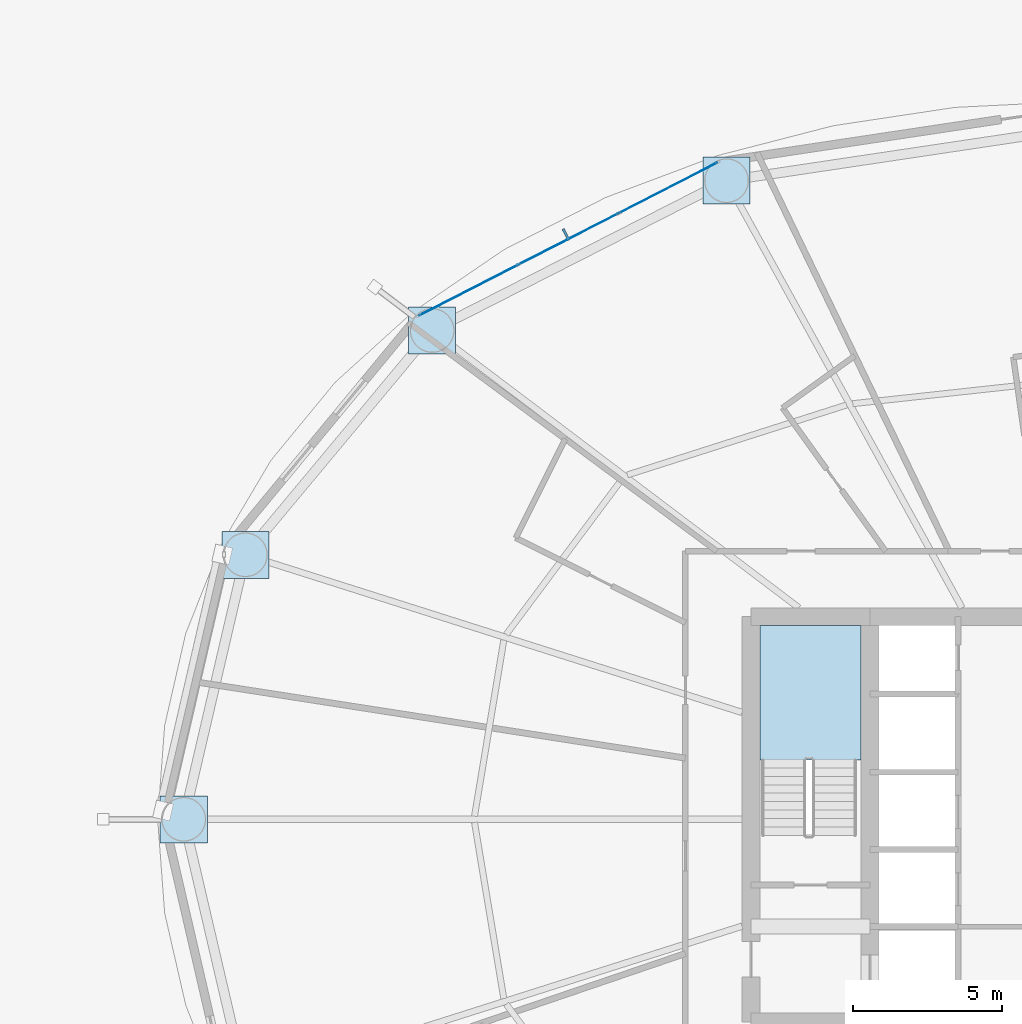
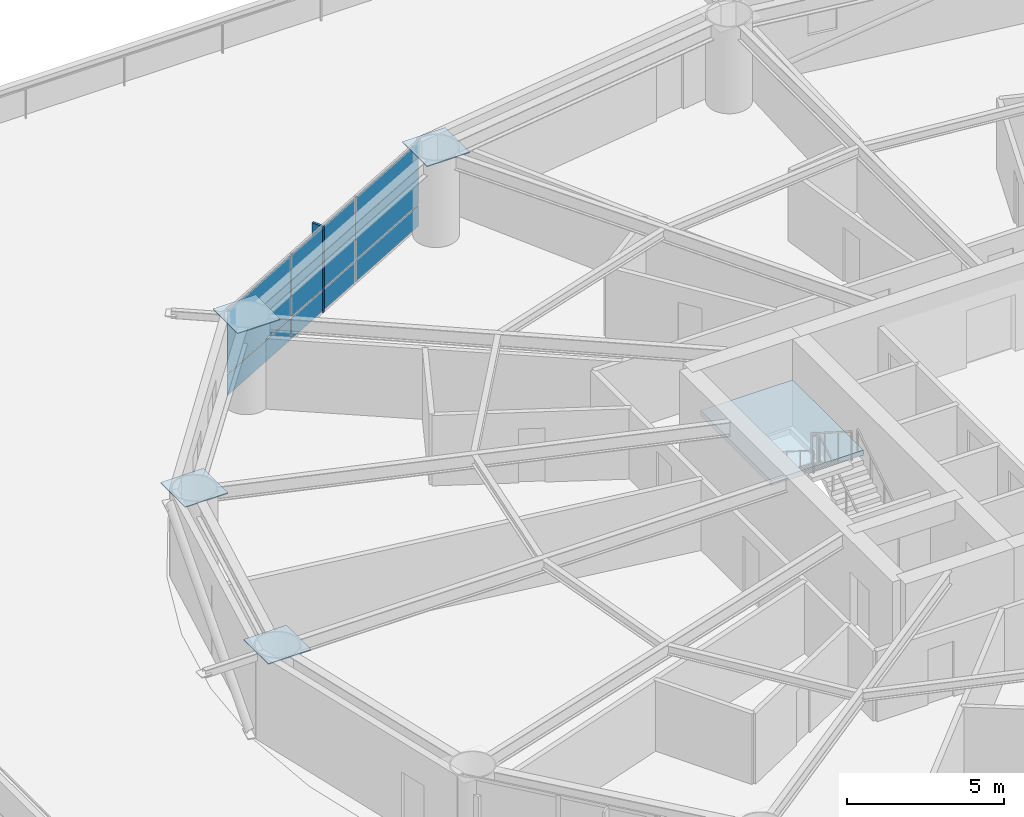
# One storey, part 17 of 30: 11 plates, 1 slab, 2 elements without a shape of their own.
"""IFC4 building model written with IfcOpenShell, lengths in metres."""

from ifc_helpers import new_model, si_unit, direction, frame, origin, origin_2d, place, context, subcontext, project, spatial, polyline, rectangle, outline, extrude, material, layer, layer_set, type_object, element, aggregate, save


model = new_model("IFC4")

# Units and contexts
model_context = context("Model", 3, precision=1e-05, world=origin(), true_north=direction((0.0, 1.0)))
body_context = subcontext(model_context, "Body", "Model", "MODEL_VIEW")
ifc_project = project(units=[si_unit("LENGTHUNIT", "METRE"), si_unit("AREAUNIT", "SQUARE_METRE"), si_unit("VOLUMEUNIT", "CUBIC_METRE"), si_unit("PLANEANGLEUNIT", "RADIAN"), si_unit("MASSUNIT", "GRAM", prefix="KILO")], contexts=[model_context])

# Site, building, storey
site_placement = place(None, origin())
site = spatial("IfcSite", under=ifc_project, at=site_placement, CompositionType="ELEMENT")
building_placement = place(site_placement, origin())
building = spatial("IfcBuilding", under=site, at=building_placement, Name="Sarneth Arch Tower", CompositionType="ELEMENT")
storey_placement = place(building_placement, frame((0.0, 0.0, 28.199951171875)))
storey = spatial("IfcBuildingStorey", under=building, at=storey_placement, Name="L05", CompositionType="ELEMENT", Elevation=28.199951171875)

# Curtain wall, plates
ifc_material_1 = material(Name="Anodised aluminium Type AA25 and solar-control low-e laminated IGU", Category="aluminium")
ifc_layer_1 = layer(ifc_material_1, 0.159912109375)
ifc_layer_set_1 = layer_set([ifc_layer_1], Name="Anodised aluminium Type AA25 and solar-control low-e laminated IGU")
curtain_wall_type = type_object("IfcCurtainWallType", Name="CW-HOTEL-LOW", PredefinedType="NOTDEFINED", material=ifc_layer_set_1)
curtain_wall_placement = place(storey_placement, origin())
curtain_wall = element("IfcCurtainWall", 1, at=curtain_wall_placement, inside=storey, type_object=curtain_wall_type, Name="L05 Unitised curtain wall facet 06", PredefinedType="NOTDEFINED")
ifc_material_2 = material(Name="Solar-control low-e laminated IGU", Category="glass")
ifc_layer_2 = layer(ifc_material_2, 0.028076171875)
ifc_layer_set_2 = layer_set([ifc_layer_2], Name="Solar-control low-e laminated IGU")
plate_type_1 = type_object("IfcPlateType", Name="CW-PANEL", PredefinedType="CURTAIN_PANEL", material=ifc_layer_set_2)
plate_1_placement = place(storey_placement, frame((34.22607421875, 63.192626953125, 0.06005859375), z_axis=(0.0, 0.0, 1.0), x_axis=(-0.889854100456, -0.456245197127, 0.0)))
plate_1 = element("IfcPlate", 2, at=plate_1_placement, type_object=plate_type_1, Name="Curtain wall glazed vision pane CW-L05-F06/P00-00", PredefinedType="CURTAIN_PANEL", context=body_context, shape_type="SweptSolid", body=[
    extrude(rectangle(XDim=3.69189453125, YDim=0.028076171875, at=origin_2d()), origin(), (0.0, 0.0, 1.0), 0.81005859375),
])
plate_2_placement = place(storey_placement, frame((34.22607421875, 63.192626953125, 0.93017578125), z_axis=(0.0, 0.0, 1.0), x_axis=(-0.889854100456, -0.456245197127, 0.0)))
plate_2 = element("IfcPlate", 3, at=plate_2_placement, type_object=plate_type_1, Name="Curtain wall glazed vision pane CW-L05-F06/P00-01", PredefinedType="CURTAIN_PANEL", context=body_context, shape_type="SweptSolid", body=[
    extrude(rectangle(XDim=3.69189453125, YDim=0.028076171875, at=origin_2d()), origin(), (0.0, 0.0, 1.0), 2.389892578125),
])
plate_3_placement = place(storey_placement, frame((30.8740234375, 61.473876953125, 0.06005859375), z_axis=(0.0, 0.0, 1.0), x_axis=(-0.889854100456, -0.456245197127, 0.0)))
plate_3 = element("IfcPlate", 4, at=plate_3_placement, type_object=plate_type_1, Name="Curtain wall glazed vision pane CW-L05-F06/P01-00", PredefinedType="CURTAIN_PANEL", context=body_context, shape_type="SweptSolid", body=[
    extrude(rectangle(XDim=3.721923828125, YDim=0.028076171875, at=origin_2d()), origin(), (0.0, 0.0, 1.0), 0.81005859375),
])
plate_4_placement = place(storey_placement, frame((30.8740234375, 61.473876953125, 0.93017578125), z_axis=(0.0, 0.0, 1.0), x_axis=(-0.889854100456, -0.456245197127, 0.0)))
plate_4 = element("IfcPlate", 5, at=plate_4_placement, type_object=plate_type_1, Name="Curtain wall glazed vision pane CW-L05-F06/P01-01", PredefinedType="CURTAIN_PANEL", context=body_context, shape_type="SweptSolid", body=[
    extrude(rectangle(XDim=3.721923828125, YDim=0.028076171875, at=origin_2d()), origin(), (0.0, 0.0, 1.0), 2.389892578125),
])
plate_5_placement = place(storey_placement, frame((27.52197265625, 59.75537109375, 0.06005859375), z_axis=(0.0, 0.0, 1.0), x_axis=(-0.889854100456, -0.456245197127, 0.0)))
plate_5 = element("IfcPlate", 6, at=plate_5_placement, type_object=plate_type_1, Name="Curtain wall glazed vision pane CW-L05-F06/P02-00", PredefinedType="CURTAIN_PANEL", context=body_context, shape_type="SweptSolid", body=[
    extrude(rectangle(XDim=3.69189453125, YDim=0.028076171875, at=origin_2d()), origin(), (0.0, 0.0, 1.0), 0.81005859375),
])
plate_6_placement = place(storey_placement, frame((27.52197265625, 59.75537109375, 0.93017578125), z_axis=(0.0, 0.0, 1.0), x_axis=(-0.889854100456, -0.456245197127, 0.0)))
plate_6 = element("IfcPlate", 7, at=plate_6_placement, type_object=plate_type_1, Name="Curtain wall glazed vision pane CW-L05-F06/P02-01", PredefinedType="CURTAIN_PANEL", context=body_context, shape_type="SweptSolid", body=[
    extrude(rectangle(XDim=3.69189453125, YDim=0.028076171875, at=origin_2d()), origin(), (0.0, 0.0, 1.0), 2.389892578125),
])
aggregate(curtain_wall, [plate_1, plate_2, plate_3, plate_4, plate_5, plate_6])

# Plates
ifc_material_3 = material(Name="Steel S355", Category="steel")
ifc_layer_3 = layer(ifc_material_3, 0.0400390625)
ifc_layer_set_3 = layer_set([ifc_layer_3], Name="Steel S355")
plate_type_2 = type_object("IfcPlateType", Name="PLT-SPLICE-40", PredefinedType="SHEET", material=ifc_layer_set_3)
for number, where, z_axis, x_axis, name in (
    (8, (36.18212890625, 63.43408203125, 3.3623046875), (0.0, 0.0, 1.0), (1.0, 0.0, 0.0), "Steel end cap plate GP-2"),
    (9, (26.303466796875, 58.40478515625, 3.3623046875), (0.0, 0.0, 1.0), (1.0, 0.0, 0.0), "Steel end cap plate GP-2"),
    (10, (20.034423828125, 50.878173828125, 3.3623046875), (0.0, 0.0, 1.0), (1.0, 0.0, 0.0), "Steel end cap plate GP-2"),
    (11, (17.965087890625, 42.0, 3.3623046875), (0.0, 0.0, 1.0), (1.0, 0.0, 0.0), "Steel end cap plate GP-2"),
):
    element("IfcPlate", number, at=place(storey_placement, frame(where, z_axis=z_axis, x_axis=x_axis)), inside=storey, type_object=plate_type_2, Name=name, PredefinedType="SHEET", context=body_context, shape_type="SweptSolid", body=[
        extrude(rectangle(XDim=1.580078125, YDim=1.580078125, at=origin_2d()), origin(), (0.0, 0.0, 1.0), 0.035888671875),
    ])
ifc_material_4 = material(Name="Extruded glazed terracotta baguette fin on Aluminium 6063-T6 carrier", Category="masonry")
ifc_layer_4 = layer(ifc_material_4, 0.080078125)
ifc_layer_set_4 = layer_set([ifc_layer_4], Name="Extruded glazed terracotta baguette fin on Aluminium 6063-T6 carrier")
plate_type_3 = type_object("IfcPlateType", Name="SHADE-TERRA-FIN", PredefinedType="SHEET", material=ifc_layer_set_4)
plate_7_placement = place(storey_placement, frame((30.79638671875, 61.625244140625, 0.009765625), z_axis=(0.0, 0.0, 1.0), x_axis=(-0.4563215909, 0.889814927768, 0.0)))
element("IfcPlate", 12, at=plate_7_placement, inside=storey, type_object=plate_type_3, Name="L05 Terracotta vertical shading fin 06", PredefinedType="SHEET", context=body_context, shape_type="SweptSolid", body=[
    extrude(rectangle(XDim=0.419921875, YDim=0.080078125, at=origin_2d()), origin(), (0.0, 0.0, 1.0), 3.360107421875),
])

# Stair, slab
ifc_material_5 = material(Name="Concrete C50/60", Category="concrete")
stair_type = type_object("IfcStairType", Name="STAIR-CORE-RC", PredefinedType="HALF_TURN_STAIR", material=ifc_material_5)
stair_placement = place(storey_placement, origin())
stair = element("IfcStair", 13, at=stair_placement, inside=storey, type_object=stair_type, Name="L05 Core Exit Stair 1", PredefinedType="HALF_TURN_STAIR")
ifc_material_6 = material(Name="Concrete C50/60", Category="concrete")
ifc_layer_5 = layer(ifc_material_6, 0.199951171875)
ifc_layer_set_5 = layer_set([ifc_layer_5], Name="Concrete C50/60")
slab_type = type_object("IfcSlabType", Name="SLAB-LANDING-200", PredefinedType="LANDING", material=ifc_layer_set_5)
slab_placement = place(storey_placement, frame((0.0, 0.0, 1.60009765625)))
slab = element("IfcSlab", 14, at=slab_placement, type_object=slab_type, Name="ST-1 landing 1", PredefinedType="LANDING", context=body_context, shape_type="SweptSolid", body=[
    extrude(outline(polyline([(37.300048828125, 43.985107421875), (40.699951171875, 43.985107421875), (40.699951171875, 48.5), (37.300048828125, 48.5), (37.300048828125, 43.985107421875)])), origin(), (0.0, 0.0, 1.0), 0.199951171875),
])
aggregate(stair, [slab])

save(model, "model.ifc")
